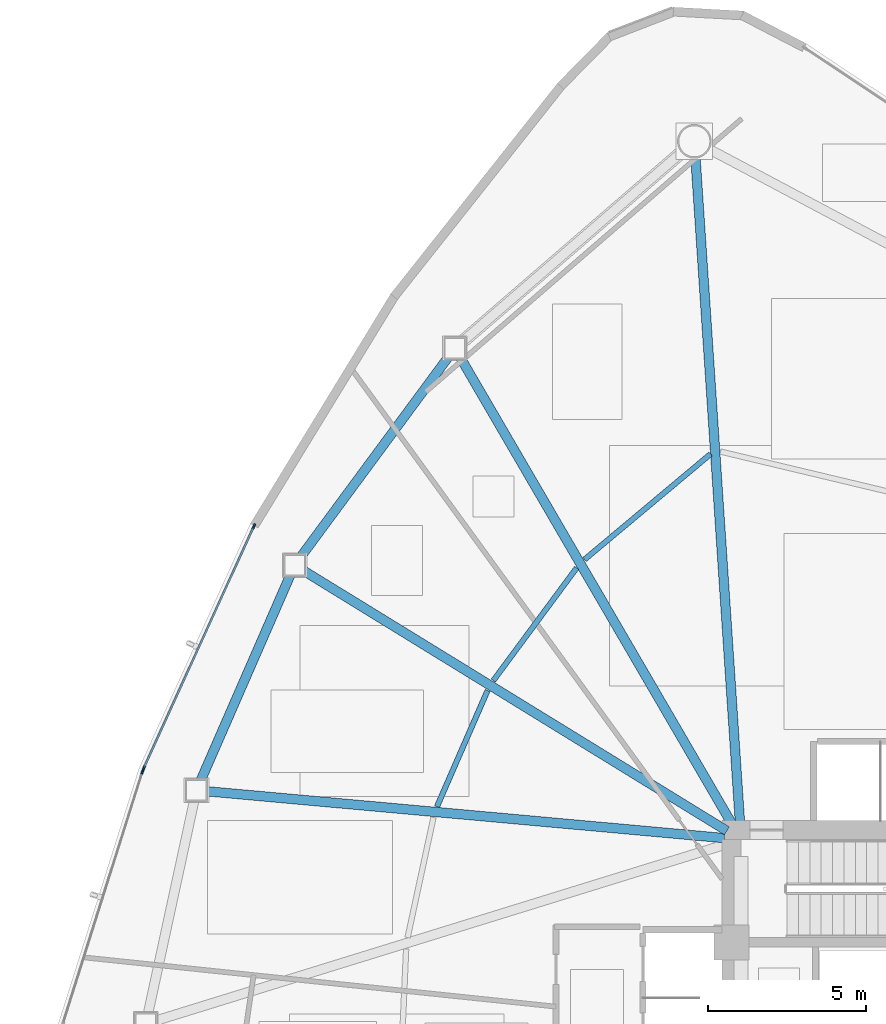
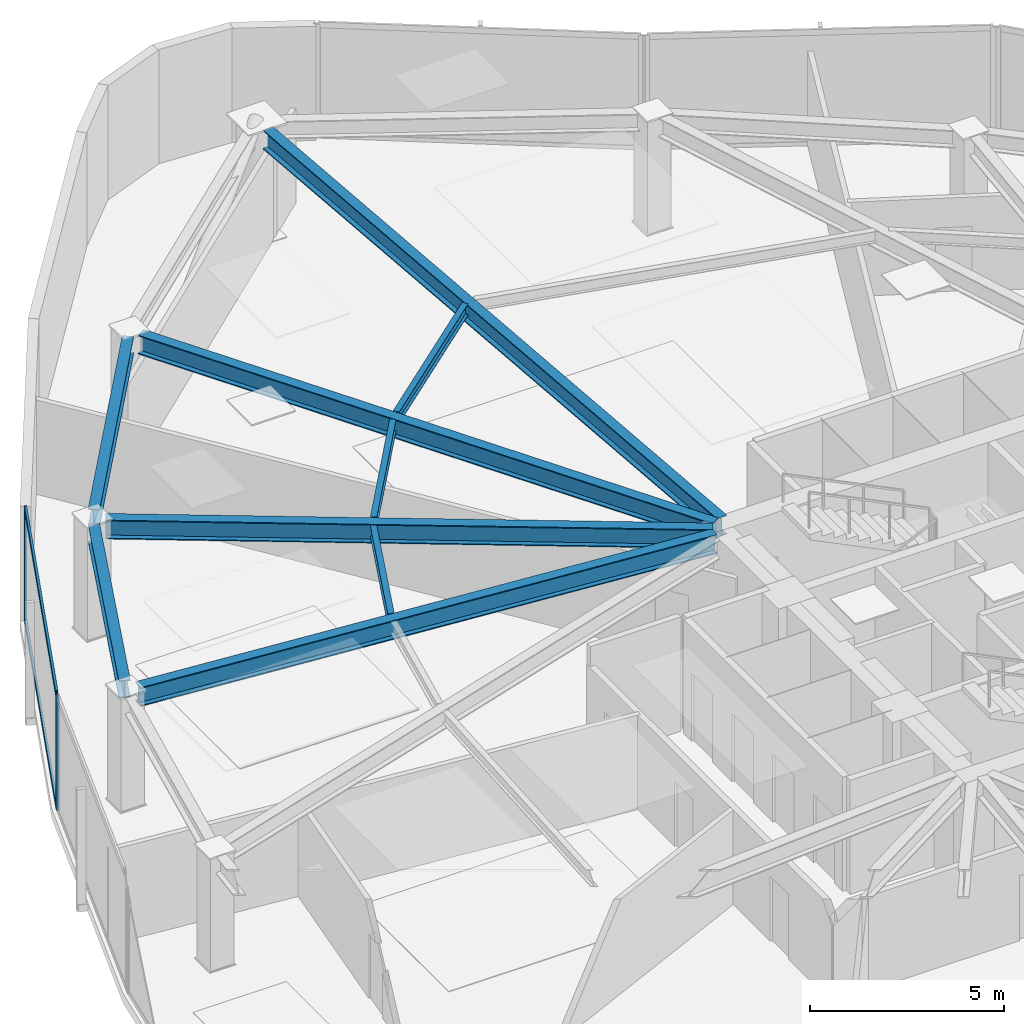
# One storey, part 8 of 18: 9 beams, 5 members, 2 elements without a shape of their own.
"""IFC4 building model written with IfcOpenShell, lengths in metres."""

import ifcopenshell
import ifcopenshell.guid

model = None  # the IFC model being written
_history = None  # IfcOwnerHistory: only IFC2X3 demands one
_inside = {}  # id of a spatial element -> (the spatial element, [elements in it])
_under = {}  # id of a project, library or spatial element -> (it, [spatial elements below it])
_declared = {}  # id of a project -> (the project, [libraries it declares])
_typed = {}  # id of a type object -> (the type object, [elements of that type])
_made_of = {}  # id of a material, layer set ... -> (it, [elements and type objects made of it])


def new_model(schema):
    """Start an empty IFC model of exactly this schema.

    Asked for "IFC4X3", IfcOpenShell would pick the latest addendum, in which some entities
    have other attributes; the version numbers below select the first issue.
    IFC2X3 requires an IfcOwnerHistory on every rooted entity: one is made here for all.
    """
    global model, _history
    if schema == "IFC4X3":
        model = ifcopenshell.file(schema_version=(4, 3, 0, 0))
    else:
        model = ifcopenshell.file(schema=schema)
    _inside.clear()
    _under.clear()
    _declared.clear()
    _typed.clear()
    _made_of.clear()
    _history = None
    if model.schema == "IFC2X3":
        org = make("IfcOrganization", Name="unknown")
        user = make(
            "IfcPersonAndOrganization",
            ThePerson=make("IfcPerson", FamilyName="unknown"),
            TheOrganization=org,
        )
        app = make(
            "IfcApplication",
            ApplicationDeveloper=org,
            Version="unknown",
            ApplicationFullName="unknown",
            ApplicationIdentifier="unknown",
        )
        _history = make(
            "IfcOwnerHistory",
            OwningUser=user,
            OwningApplication=app,
            ChangeAction="ADDED",
            CreationDate=0,
        )
    return model


def make(cls, **values):
    """One entity of the class cls with the attributes given. An attribute that is None is left unset."""
    return model.create_entity(
        cls, **{name: value for name, value in values.items() if value is not None}
    )


def rooted(cls, **values):
    """An entity with a GlobalId (a new one), such as an element, a storey or a relation."""
    return make(cls, GlobalId=ifcopenshell.guid.new(), OwnerHistory=_history, **values)


def si_unit(unit_type, name, prefix=None):
    """IfcSIUnit, for example si_unit("LENGTHUNIT", "METRE", prefix="MILLI")."""
    return make("IfcSIUnit", UnitType=unit_type, Prefix=prefix, Name=name)


def assignment(units):
    """IfcUnitAssignment: the units of a project."""
    return None if units is None else make("IfcUnitAssignment", Units=units)


def point(xyz):
    """IfcCartesianPoint."""
    return None if xyz is None else make("IfcCartesianPoint", Coordinates=xyz)


def direction(xyz):
    """IfcDirection."""
    return None if xyz is None else make("IfcDirection", DirectionRatios=xyz)


def frame(location, z_axis=None, x_axis=None):
    """IfcAxis2Placement3D, a coordinate frame: its origin and axes. An axis left out is left unset."""
    return make(
        "IfcAxis2Placement3D",
        Location=point(location),
        Axis=direction(z_axis),
        RefDirection=direction(x_axis),
    )


def frame_2d(location, x_axis=None):
    """IfcAxis2Placement2D, a coordinate frame in the plane: its origin and x axis."""
    return make(
        "IfcAxis2Placement2D", Location=point(location), RefDirection=direction(x_axis)
    )


def origin():
    """The frame at (0, 0, 0) with its axes left unset."""
    return frame((0.0, 0.0, 0.0))


def origin_2d():
    """The frame at (0, 0) in the plane with its x axis left unset."""
    return frame_2d((0.0, 0.0))


def place(relative_to, where):
    """IfcLocalPlacement: puts the frame where relative to a parent placement (None: the world)."""
    return make(
        "IfcLocalPlacement", PlacementRelTo=relative_to, RelativePlacement=where
    )


def context(
    kind, dimensions, precision=None, world=None, true_north=None, identifier=None
):
    """IfcGeometricRepresentationContext, for example the 3D "Model" context."""
    return make(
        "IfcGeometricRepresentationContext",
        ContextIdentifier=identifier,
        ContextType=kind,
        CoordinateSpaceDimension=dimensions,
        Precision=precision,
        WorldCoordinateSystem=world,
        TrueNorth=true_north,
    )


def subcontext(parent, identifier, kind, view, scale=None):
    """IfcGeometricRepresentationSubContext, for example "Body" below "Model"."""
    return make(
        "IfcGeometricRepresentationSubContext",
        ContextIdentifier=identifier,
        ContextType=kind,
        ParentContext=parent,
        TargetScale=scale,
        TargetView=view,
    )


def project(units=None, contexts=None):
    """IfcProject with its units and contexts."""
    return rooted(
        "IfcProject",
        Name="project",
        RepresentationContexts=contexts,
        UnitsInContext=assignment(units),
    )


def spatial(cls, under=None, at=None, **own):
    """A site, building, storey or space (cls), placed at a placement, below another one or the project."""
    s = rooted(cls, ObjectPlacement=at, **own)
    if under is not None:
        _under.setdefault(under.id(), (under, []))[1].append(s)
    return s


def profile(cls, at=None, kind="AREA", **sizes):
    """A parametric profile (cls). Its sizes go by their IFC names, for example OverallWidth=200.0."""
    return make(cls, ProfileType=kind, Position=at, **sizes)


def hollow_rectangle(**sizes):
    """IfcRectangleHollowProfileDef."""
    return profile("IfcRectangleHollowProfileDef", **sizes)


def i_section(**sizes):
    """IfcIShapeProfileDef."""
    return profile("IfcIShapeProfileDef", **sizes)


def extrude(swept, where, along, depth):
    """IfcExtrudedAreaSolid: the profile swept, set in the frame where, extruded along a direction by depth."""
    return make(
        "IfcExtrudedAreaSolid",
        SweptArea=swept,
        Position=where,
        ExtrudedDirection=direction(along),
        Depth=depth,
    )


def shape(context_of_items, identifier, shape_type, items):
    """IfcShapeRepresentation: the items that make up one representation, for example the "Body"."""
    return make(
        "IfcShapeRepresentation",
        ContextOfItems=context_of_items,
        RepresentationIdentifier=identifier,
        RepresentationType=shape_type,
        Items=items,
    )


def source(mapping_origin, context_of_items, identifier, shape_type, items):
    """IfcRepresentationMap: a shape defined once, which mapped items show again and again."""
    return make(
        "IfcRepresentationMap",
        MappingOrigin=mapping_origin,
        MappedRepresentation=shape(context_of_items, identifier, shape_type, items),
    )


def transform(
    local_origin,
    x_axis=None,
    y_axis=None,
    z_axis=None,
    scale=None,
    scale2=None,
    scale3=None,
    uniform=True,
):
    """IfcCartesianTransformationOperator3D, or its non-uniform kind. x_axis, y_axis, z_axis: its Axis1, 2, 3."""
    if uniform:
        return make(
            "IfcCartesianTransformationOperator3D",
            Axis1=direction(x_axis),
            Axis2=direction(y_axis),
            LocalOrigin=point(local_origin),
            Scale=scale,
            Axis3=direction(z_axis),
        )
    return make(
        "IfcCartesianTransformationOperator3DnonUniform",
        Axis1=direction(x_axis),
        Axis2=direction(y_axis),
        LocalOrigin=point(local_origin),
        Scale=scale,
        Axis3=direction(z_axis),
        Scale2=scale2,
        Scale3=scale3,
    )


def mapped(mapping_source, mapping_target):
    """IfcMappedItem: shows the shape of a source again, moved by a transform."""
    return make(
        "IfcMappedItem", MappingSource=mapping_source, MappingTarget=mapping_target
    )


def material(Name=None, Category=None):
    """IfcMaterial."""
    return make("IfcMaterial", Name=Name, Category=Category)


def layer(
    of_material, thickness, ventilated=None, Name=None, Category=None, Priority=None
):
    """IfcMaterialLayer: one layer of a wall or slab, of a material (None: an air gap)."""
    return make(
        "IfcMaterialLayer",
        Material=of_material,
        LayerThickness=thickness,
        IsVentilated=ventilated,
        Name=Name,
        Category=Category,
        Priority=Priority,
    )


def layer_set(layers, Name=None):
    """IfcMaterialLayerSet."""
    return make("IfcMaterialLayerSet", MaterialLayers=layers, LayerSetName=Name)


def material_profile(
    of_material, cross_section, Name=None, Category=None, Priority=None
):
    """IfcMaterialProfile: a cross section and its material."""
    return make(
        "IfcMaterialProfile",
        Name=Name,
        Material=of_material,
        Profile=cross_section,
        Priority=Priority,
        Category=Category,
    )


def profile_set(profiles, Name=None, composite=None):
    """IfcMaterialProfileSet."""
    return make(
        "IfcMaterialProfileSet",
        Name=Name,
        MaterialProfiles=profiles,
        CompositeProfile=composite,
    )


def made_of(thing, what):
    """Note that an element or type object is made of a material, layer set ...; save() writes the relation."""
    if what is not None:
        _made_of.setdefault(what.id(), (what, []))[1].append(thing)
    return thing


def type_object(cls, material=None, **own):
    """A type object (cls), such as IfcWallType, which elements share."""
    return made_of(rooted(cls, **own), material)


def type_shapes(of_type, sources):
    """Give a type object the sources (RepresentationMaps) that its elements show as mapped items."""
    of_type.RepresentationMaps = sources


def element(
    cls,
    number,
    at=None,
    inside=None,
    cuts=None,
    type_object=None,
    material=None,
    context=None,
    identifier="Body",
    shape_type=None,
    held_by="IfcProductDefinitionShape",
    body=None,
    shapes=None,
    **own,
):
    """One element of the class cls, such as IfcWall. Its Tag is "e" and its number.

    at: its placement. inside: the storey or other place that contains it. cuts: it is an
    opening in that element (IfcRelVoidsElement). A single representation is given by context,
    identifier, shape_type and body (its items); several are given by shapes. held_by: the class
    of the entity that holds the representations. save() writes the other relations.
    """
    e = rooted(cls, Tag="e%d" % number, ObjectPlacement=at, **own)
    if body is not None:
        shapes = [shape(context, identifier, shape_type, body)]
    if shapes is not None:
        e.Representation = make(held_by, Representations=shapes)
    if inside is not None:
        _inside.setdefault(inside.id(), (inside, []))[1].append(e)
    if cuts is not None:
        rooted(
            "IfcRelVoidsElement", RelatingBuildingElement=cuts, RelatedOpeningElement=e
        )
    if type_object is not None:
        _typed.setdefault(type_object.id(), (type_object, []))[1].append(e)
    return made_of(e, material)


def aggregate(whole, parts):
    """IfcRelAggregates: a whole, such as a stair, and the parts it consists of."""
    return rooted("IfcRelAggregates", RelatingObject=whole, RelatedObjects=parts)


def save(model, path):
    """Write the relations noted so far, then the file.

    IfcRelAggregates (storeys below a building ...), IfcRelContainedInSpatialStructure (elements
    in a storey), IfcRelDefinesByType, IfcRelAssociatesMaterial and IfcRelDeclares: one each for
    every whole, place, type object, material and project.
    """
    for whole, parts in _under.values():
        aggregate(whole, parts)
    for where, things in _inside.values():
        rooted(
            "IfcRelContainedInSpatialStructure",
            RelatedElements=things,
            RelatingStructure=where,
        )
    for kind, things in _typed.values():
        rooted("IfcRelDefinesByType", RelatedObjects=things, RelatingType=kind)
    for what, things in _made_of.values():
        rooted("IfcRelAssociatesMaterial", RelatedObjects=things, RelatingMaterial=what)
    for by, libraries in _declared.values():
        rooted("IfcRelDeclares", RelatingContext=by, RelatedDefinitions=libraries)
    model.write(path)


model = new_model("IFC4")

# Units and contexts
model_context = context("Model", 3, precision=1e-05, world=origin(), true_north=direction((0.0, 1.0)))
body_context = subcontext(model_context, "Body", "Model", "MODEL_VIEW")
ifc_project = project(units=[si_unit("LENGTHUNIT", "METRE"), si_unit("AREAUNIT", "SQUARE_METRE"), si_unit("VOLUMEUNIT", "CUBIC_METRE"), si_unit("PLANEANGLEUNIT", "RADIAN"), si_unit("MASSUNIT", "GRAM", prefix="KILO")], contexts=[model_context])

# Site, building, storey
site_placement = place(None, origin())
site = spatial("IfcSite", under=ifc_project, at=site_placement, CompositionType="ELEMENT")
building_placement = place(site_placement, origin())
building = spatial("IfcBuilding", under=site, at=building_placement, Name="Tavelor Broadcast Tower", CompositionType="ELEMENT")
storey_placement = place(building_placement, frame((0.0, 0.0, 62.699951171875)))
storey = spatial("IfcBuildingStorey", under=building, at=storey_placement, Name="L14", CompositionType="ELEMENT", Elevation=62.699951171875)

# Beams
ifc_material_1 = material(Name="Steel S355", Category="steel")
ifc_material_profile_1 = material_profile(ifc_material_1, i_section(OverallWidth=0.169921875, OverallDepth=0.360107421875, WebThickness=0.008056640625, FlangeThickness=0.0126953125, at=origin_2d()), Name="IPE 360")
ifc_profile_set_1 = profile_set([ifc_material_profile_1], Name="Steel S355")
beam_type_1 = type_object("IfcBeamType", Name="Composite Floor Joist T2 IPE 360", PredefinedType="JOIST", material=ifc_profile_set_1)
beam_1_placement = place(storey_placement, frame((42.437744140625, 63.38671875, 3.420166015625), z_axis=(-0.766764124222, -0.641928950746, 0.0), x_axis=(0.641928950746, -0.766764124222, 0.0)))
element("IfcBeam", 1, at=beam_1_placement, inside=storey, type_object=beam_type_1, Name="L14 Secondary Composite Floor Joist 01", PredefinedType="JOIST", context=body_context, shape_type="SweptSolid", body=[
    extrude(i_section(OverallWidth=0.169921875, OverallDepth=0.360107421875, WebThickness=0.008056640625, FlangeThickness=0.0126953125, at=origin_2d()), origin(), (0.0, 0.0, 1.0), 5.1982421875),
])
beam_2_placement = place(storey_placement, frame((38.20556640625, 59.7880859375, 3.420166015625), z_axis=(-0.594699209794, -0.803948288057, 0.0), x_axis=(0.803948288057, -0.594699209794, 0.0)))
element("IfcBeam", 2, at=beam_2_placement, inside=storey, type_object=beam_type_1, Name="L14 Secondary Composite Floor Joist 02", PredefinedType="JOIST", context=body_context, shape_type="SweptSolid", body=[
    extrude(i_section(OverallWidth=0.169921875, OverallDepth=0.360107421875, WebThickness=0.008056640625, FlangeThickness=0.0126953125, at=origin_2d()), origin(), (0.0, 0.0, 1.0), 4.432373046875),
])
beam_3_placement = place(storey_placement, frame((35.3896484375, 55.9130859375, 3.420166015625), z_axis=(-0.399446150725, -0.916756659464, 0.0), x_axis=(0.916756659464, -0.399446150725, 0.0)))
element("IfcBeam", 3, at=beam_3_placement, inside=storey, type_object=beam_type_1, Name="L14 Secondary Composite Floor Joist 03", PredefinedType="JOIST", context=body_context, shape_type="SweptSolid", body=[
    extrude(i_section(OverallWidth=0.169921875, OverallDepth=0.360107421875, WebThickness=0.008056640625, FlangeThickness=0.0126953125, at=origin_2d()), origin(), (0.0, 0.0, 1.0), 4.00390625),
])
ifc_material_profile_2 = material_profile(ifc_material_1, i_section(OverallWidth=0.300048828125, OverallDepth=0.550048828125, WebThickness=0.014892578125, FlangeThickness=0.029052734375, at=origin_2d()), Name="HEB 550")
ifc_profile_set_2 = profile_set([ifc_material_profile_2], Name="Steel S355")
beam_type_2 = type_object("IfcBeamType", Name="Perimeter Spandrel Beam T2 HEB 550", PredefinedType="SPANDREL", material=ifc_profile_set_2)
beam_4_placement = place(storey_placement, frame((34.156494140625, 66.45751953125, 3.324951171875), z_axis=(-0.59411824878, -0.804377713805, 0.0), x_axis=(0.804377713805, -0.59411824878, 0.0)))
element("IfcBeam", 4, at=beam_4_placement, inside=storey, type_object=beam_type_2, Name="L14 Framed-Tube Ring Spandrel 02", PredefinedType="SPANDREL", context=body_context, shape_type="SweptSolid", body=[
    extrude(i_section(OverallWidth=0.300048828125, OverallDepth=0.550048828125, WebThickness=0.014892578125, FlangeThickness=0.029052734375, at=origin_2d()), origin(), (0.0, 0.0, 1.0), 7.8515625),
])
beam_5_placement = place(storey_placement, frame((29.157958984375, 59.5634765625, 3.324951171875), z_axis=(-0.399859236649, -0.916576560287, 0.0), x_axis=(0.916576560287, -0.399859236649, 0.0)))
element("IfcBeam", 5, at=beam_5_placement, inside=storey, type_object=beam_type_2, Name="L14 Framed-Tube Ring Spandrel 03", PredefinedType="SPANDREL", context=body_context, shape_type="SweptSolid", body=[
    extrude(i_section(OverallWidth=0.300048828125, OverallDepth=0.550048828125, WebThickness=0.014892578125, FlangeThickness=0.029052734375, at=origin_2d()), origin(), (0.0, 0.0, 1.0), 7.088623046875),
])
ifc_material_profile_3 = material_profile(ifc_material_1, i_section(OverallWidth=0.300048828125, OverallDepth=0.60009765625, WebThickness=0.015380859375, FlangeThickness=0.030029296875, at=origin_2d()), Name="HEB 600")
ifc_profile_set_3 = profile_set([ifc_material_profile_3], Name="Steel S355")
beam_type_3 = type_object("IfcBeamType", Name="Radial Floor Girder T2 HEB 600", PredefinedType="BEAM", material=ifc_profile_set_3)
beam_6_placement = place(storey_placement, frame((43.36474609375, 51.726806640625, 3.300048828125), z_axis=(-0.066782727419, 0.997767541724, 0.0), x_axis=(-0.997767541724, -0.066782727419, 0.0)))
element("IfcBeam", 6, at=beam_6_placement, inside=storey, type_object=beam_type_3, Name="L14 Radial Primary Floor Girder 01", PredefinedType="BEAM", context=body_context, shape_type="SweptSolid", body=[
    extrude(i_section(OverallWidth=0.300048828125, OverallDepth=0.60009765625, WebThickness=0.015380859375, FlangeThickness=0.030029296875, at=origin_2d()), origin(), (0.0, 0.0, 1.0), 21.075439453125),
])
beam_7_placement = place(storey_placement, frame((43.13427734375, 51.65625, 3.300048828125), z_axis=(-0.503292320279, 0.864116219237, 0.0), x_axis=(-0.864116219237, -0.503292320279, 0.0)))
element("IfcBeam", 7, at=beam_7_placement, inside=storey, type_object=beam_type_3, Name="L14 Radial Primary Floor Girder 02", PredefinedType="BEAM", context=body_context, shape_type="SweptSolid", body=[
    extrude(i_section(OverallWidth=0.300048828125, OverallDepth=0.60009765625, WebThickness=0.015380859375, FlangeThickness=0.030029296875, at=origin_2d()), origin(), (0.0, 0.0, 1.0), 17.105712890625),
])
beam_8_placement = place(storey_placement, frame((42.9501953125, 51.4765625, 3.300048828125), z_axis=(-0.851937509834, 0.523643465859, 0.0), x_axis=(-0.523643465859, -0.851937509834, 0.0)))
element("IfcBeam", 8, at=beam_8_placement, inside=storey, type_object=beam_type_3, Name="L14 Radial Primary Floor Girder 03", PredefinedType="BEAM", context=body_context, shape_type="SweptSolid", body=[
    extrude(i_section(OverallWidth=0.300048828125, OverallDepth=0.60009765625, WebThickness=0.015380859375, FlangeThickness=0.030029296875, at=origin_2d()), origin(), (0.0, 0.0, 1.0), 15.69580078125),
])
beam_9_placement = place(storey_placement, frame((42.874267578125, 51.24755859375, 3.300048828125), z_axis=(-0.99592702313, 0.090162989073, 0.0), x_axis=(-0.090162989073, -0.99592702313, 0.0)))
element("IfcBeam", 9, at=beam_9_placement, inside=storey, type_object=beam_type_3, Name="L14 Radial Primary Floor Girder 04", PredefinedType="BEAM", context=body_context, shape_type="SweptSolid", body=[
    extrude(i_section(OverallWidth=0.300048828125, OverallDepth=0.60009765625, WebThickness=0.015380859375, FlangeThickness=0.030029296875, at=origin_2d()), origin(), (0.0, 0.0, 1.0), 16.417236328125),
])

# Curtain wall, members
ifc_material_2 = material(Name="Architectural Anodized Aluminium", Category="aluminium")
ifc_layer = layer(ifc_material_2, 0.179931640625)
ifc_layer_set = layer_set([ifc_layer], Name="Architectural Anodized Aluminium")
curtain_wall_type = type_object("IfcCurtainWallType", Name="Tower Low-Zone Unitised Curtain Wall CW02", PredefinedType="NOTDEFINED", material=ifc_layer_set)
curtain_wall_1_placement = place(storey_placement, origin())
curtain_wall_1 = element("IfcCurtainWall", 10, at=curtain_wall_1_placement, inside=storey, type_object=curtain_wall_type, Name="L14 Curtain Wall CW02 Run 121", PredefinedType="NOTDEFINED")
ifc_material_profile_4 = material_profile(ifc_material_2, hollow_rectangle(XDim=0.06494140625, YDim=0.179931640625, WallThickness=0.02197265625, at=origin_2d()), Name="RHS 65x180x22")
ifc_profile_set_4 = profile_set([ifc_material_profile_4], Name="Architectural Anodized Aluminium")
member_type_1 = type_object("IfcMemberType", Name="CW02 Extruded Aluminium Mullion 65x180", PredefinedType="MULLION", material=ifc_profile_set_4)
shared_shape_1 = source(origin(), body_context, "Body", "SweptSolid", [
    extrude(hollow_rectangle(XDim=0.06494140625, YDim=0.179931640625, WallThickness=0.02197265625, at=origin_2d()), origin(), (0.0, 0.0, 1.0), 3.60009765625),
])
type_shapes(member_type_1, [shared_shape_1])
member_1_placement = place(storey_placement, frame((28.0048828125, 61.095947265625, 0.0), z_axis=(0.0, 0.0, 1.0), x_axis=(0.910141472589, -0.4142975982, 0.0)))
member_1 = element("IfcMember", 11, at=member_1_placement, type_object=member_type_1, Name="CW02 mullion 1", PredefinedType="MULLION", context=body_context, shape_type="MappedRepresentation", body=[
    mapped(shared_shape_1, transform((0.0, 0.0, 0.0), scale=1.0)),
])
member_2_placement = place(storey_placement, frame((24.523681640625, 53.448486328125, 0.0), z_axis=(0.0, 0.0, 1.0), x_axis=(0.910141472589, -0.4142975982, 0.0)))
member_2 = element("IfcMember", 12, at=member_2_placement, type_object=member_type_1, Name="CW02 mullion 2", PredefinedType="MULLION", context=body_context, shape_type="MappedRepresentation", body=[
    mapped(shared_shape_1, transform((0.0, 0.0, 0.0), scale=1.0)),
])

# Curtain wall, member
curtain_wall_2_placement = place(storey_placement, origin())
curtain_wall_2 = element("IfcCurtainWall", 13, at=curtain_wall_2_placement, inside=storey, type_object=curtain_wall_type, Name="L14 Curtain Wall CW02 Run 122", PredefinedType="NOTDEFINED")
member_3_placement = place(storey_placement, frame((24.489501953125, 53.35986328125, 0.0), z_axis=(0.0, 0.0, 1.0), x_axis=(0.953586956311, -0.301117778873, 0.0)))
member_3 = element("IfcMember", 14, at=member_3_placement, type_object=member_type_1, Name="CW02 mullion 1", PredefinedType="MULLION", context=body_context, shape_type="MappedRepresentation", body=[
    mapped(shared_shape_1, transform((0.0, 0.0, 0.0), scale=1.0)),
])
aggregate(curtain_wall_2, [member_3])

# Member
ifc_material_profile_5 = material_profile(ifc_material_2, hollow_rectangle(XDim=0.06494140625, YDim=0.179931640625, WallThickness=0.02197265625, at=origin_2d()), Name="RHS 65x180x22")
ifc_profile_set_5 = profile_set([ifc_material_profile_5], Name="Architectural Anodized Aluminium")
member_type_2 = type_object("IfcMemberType", Name="CW02 Extruded Aluminium Transom 65x180", PredefinedType="USERDEFINED", material=ifc_profile_set_5)
shared_shape_2 = source(origin(), body_context, "Body", "SweptSolid", [
    extrude(hollow_rectangle(XDim=0.06494140625, YDim=0.179931640625, WallThickness=0.02197265625, at=origin_2d()), origin(), (0.0, 0.0, 1.0), 8.337646484375),
])
type_shapes(member_type_2, [shared_shape_2])
member_4_placement = place(storey_placement, frame((27.991455078125, 61.06640625, 0.032470703125), z_axis=(-0.414308091794, -0.910136695818, 0.0), x_axis=(0.910136695818, -0.414308091794, 0.0)))
member_4 = element("IfcMember", 15, at=member_4_placement, type_object=member_type_2, Name="CW02 transom 1.1", ObjectType="TRANSOM", PredefinedType="USERDEFINED", context=body_context, shape_type="MappedRepresentation", body=[
    mapped(shared_shape_2, transform((0.0, 0.0, 0.0), scale=1.0)),
])

member_5_placement = place(storey_placement, frame((27.991455078125, 61.06640625, 3.567626953125), z_axis=(-0.414308091794, -0.910136695818, 0.0), x_axis=(0.910136695818, -0.414308091794, 0.0)))
member_5 = element("IfcMember", 16, at=member_5_placement, type_object=member_type_2, Name="CW02 transom 1.2", ObjectType="TRANSOM", PredefinedType="USERDEFINED", context=body_context, shape_type="MappedRepresentation", body=[
    mapped(shared_shape_2, transform((0.0, 0.0, 0.0), scale=1.0)),
])

aggregate(curtain_wall_1, [member_1, member_2, member_4, member_5])

save(model, "model.ifc")
